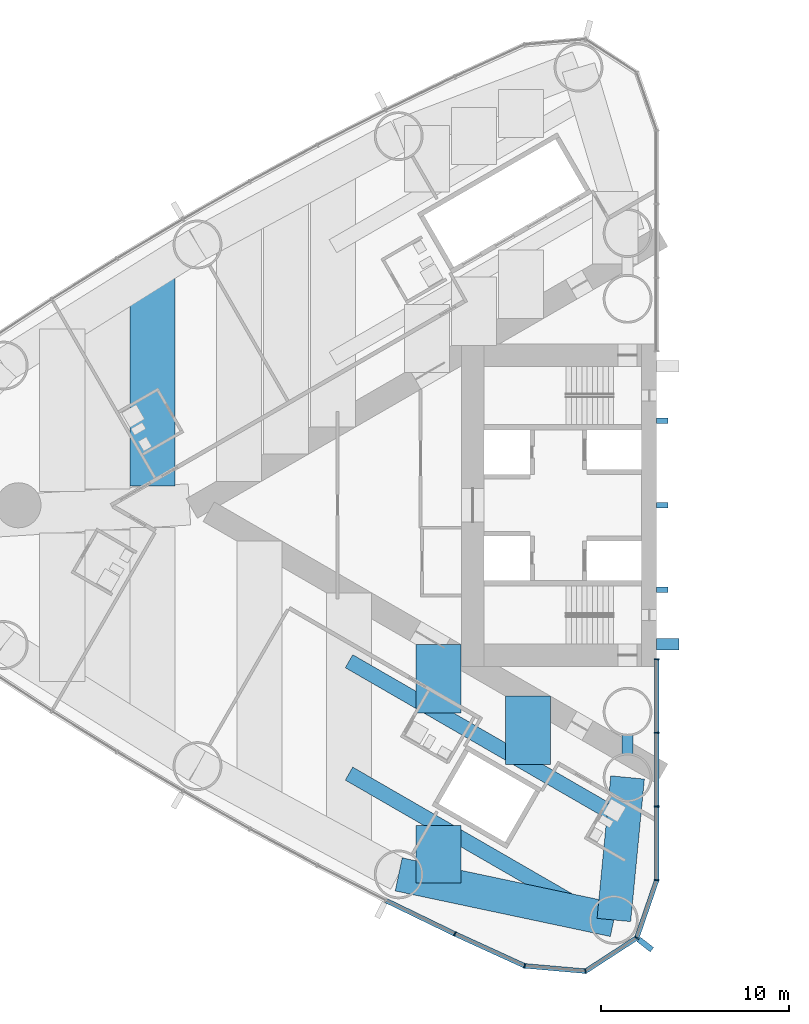
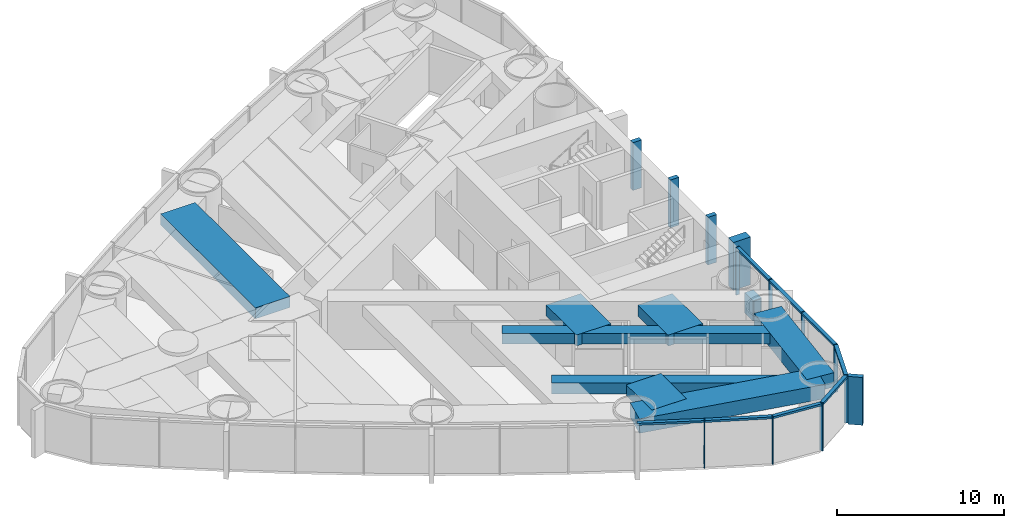
# One storey, part 3 of 19: 21 members, 9 beams, 1 element without a shape of its own.
"""IFC4 building model written with IfcOpenShell, lengths in metres."""

from ifc_helpers import new_model, si_unit, direction, frame, origin, origin_2d, place, context, subcontext, project, spatial, rectangle, hollow_rectangle, extrude, material, material_profile, profile_set, type_object, element, aggregate, save


model = new_model("IFC4")

# Units and contexts
model_context = context("Model", 3, precision=1e-05, world=origin(), true_north=direction((0.0, 1.0)))
body_context = subcontext(model_context, "Body", "Model", "MODEL_VIEW")
ifc_project = project(units=[si_unit("LENGTHUNIT", "METRE"), si_unit("AREAUNIT", "SQUARE_METRE"), si_unit("VOLUMEUNIT", "CUBIC_METRE"), si_unit("PLANEANGLEUNIT", "RADIAN"), si_unit("MASSUNIT", "GRAM", prefix="KILO")], contexts=[model_context])

# Site, building, storey
site_placement = place(None, origin())
site = spatial("IfcSite", under=ifc_project, at=site_placement, CompositionType="ELEMENT")
building_placement = place(site_placement, origin())
building = spatial("IfcBuilding", under=site, at=building_placement, Name="Lancet Gate Hotel", CompositionType="ELEMENT")
storey_placement = place(building_placement, frame((0.0, 0.0, 132.60009765625)))
storey = spatial("IfcBuildingStorey", under=building, at=storey_placement, Name="L35", CompositionType="ELEMENT", Elevation=132.60009765625)

# Curtain wall, members
ifc_material_1 = material(Name="Aluminium curtain wall", Category="aluminium")
curtain_wall_type = type_object("IfcCurtainWallType", Name="Tower unitised curtain wall", PredefinedType="USERDEFINED", material=ifc_material_1)
curtain_wall_placement = place(storey_placement, origin())
curtain_wall = element("IfcCurtainWall", 1, at=curtain_wall_placement, inside=storey, type_object=curtain_wall_type, Name="T1 L35 curtain wall 1", ObjectType="UNITISED CURTAIN WALL", PredefinedType="USERDEFINED")
ifc_material_2 = material(Name="Aluminium mullion", Category="aluminium")
ifc_material_profile_1 = material_profile(ifc_material_2, rectangle(XDim=0.06494140625, YDim=0.25, at=origin_2d()), Name="MULLION 65x250")
ifc_profile_set_1 = profile_set([ifc_material_profile_1], Name="Aluminium mullion")
member_type_1 = type_object("IfcMemberType", Name="Aluminium mullion 65x250", PredefinedType="MULLION", material=ifc_profile_set_1)
member_1_placement = place(storey_placement, frame((-38.25244140625, -22.83642578125, 0.0), z_axis=(0.0, 0.0, 1.0), x_axis=(0.904719609771, -0.426007544178, 0.0)))
member_1 = element("IfcMember", 2, at=member_1_placement, type_object=member_type_1, Name="T1 L35 curtain wall 1 mullion 29", PredefinedType="MULLION", context=body_context, shape_type="SweptSolid", body=[
    extrude(rectangle(XDim=0.06494140625, YDim=0.25, at=origin_2d()), origin(), (0.0, 0.0, 1.0), 3.5),
])
member_2_placement = place(storey_placement, frame((-34.5322265625, -24.53955078125, 0.0), z_axis=(0.0, 0.0, 1.0), x_axis=(0.961653318232, -0.27426792655, 0.0)))
member_2 = element("IfcMember", 3, at=member_2_placement, type_object=member_type_1, Name="T1 L35 curtain wall 1 mullion 30", PredefinedType="MULLION", context=body_context, shape_type="SweptSolid", body=[
    extrude(rectangle(XDim=0.06494140625, YDim=0.25, at=origin_2d()), origin(), (0.0, 0.0, 1.0), 3.5),
])
member_3_placement = place(storey_placement, frame((-31.289306640625, -24.822265625, 0.0), z_axis=(0.0, 0.0, 1.0), x_axis=(0.970242142288, 0.242136707934, 0.0)))
member_3 = element("IfcMember", 4, at=member_3_placement, type_object=member_type_1, Name="T1 L35 curtain wall 1 mullion 31", PredefinedType="MULLION", context=body_context, shape_type="SweptSolid", body=[
    extrude(rectangle(XDim=0.06494140625, YDim=0.25, at=origin_2d()), origin(), (0.0, 0.0, 1.0), 3.5),
])
member_4_placement = place(storey_placement, frame((-28.5595703125, -23.049072265625, 0.0), z_axis=(0.0, 0.0, 1.0), x_axis=(0.615574240878, 0.788078900851, 0.0)))
member_4 = element("IfcMember", 5, at=member_4_placement, type_object=member_type_1, Name="T1 L35 curtain wall 1 mullion 32", PredefinedType="MULLION", context=body_context, shape_type="SweptSolid", body=[
    extrude(rectangle(XDim=0.06494140625, YDim=0.25, at=origin_2d()), origin(), (0.0, 0.0, 1.0), 3.5),
])
member_5_placement = place(storey_placement, frame((-27.5, -19.97119140625, 0.0), z_axis=(0.0, 0.0, 1.0), x_axis=(0.149634446211, 0.988741388082, 0.0)))
member_5 = element("IfcMember", 6, at=member_5_placement, type_object=member_type_1, Name="T1 L35 curtain wall 1 mullion 33", PredefinedType="MULLION", context=body_context, shape_type="SweptSolid", body=[
    extrude(rectangle(XDim=0.06494140625, YDim=0.25, at=origin_2d()), origin(), (0.0, 0.0, 1.0), 3.5),
])
member_6_placement = place(storey_placement, frame((-27.5, -16.04736328125, 0.0), z_axis=(0.0, 0.0, 1.0), x_axis=(0.0, 1.0, 0.0)))
member_6 = element("IfcMember", 7, at=member_6_placement, type_object=member_type_1, Name="T1 L35 curtain wall 1 mullion 34", PredefinedType="MULLION", context=body_context, shape_type="SweptSolid", body=[
    extrude(rectangle(XDim=0.06494140625, YDim=0.25, at=origin_2d()), origin(), (0.0, 0.0, 1.0), 3.5),
])
member_7_placement = place(storey_placement, frame((-27.5, -12.123779296875, 0.0), z_axis=(0.0, 0.0, 1.0), x_axis=(0.0, 1.0, 0.0)))
member_7 = element("IfcMember", 8, at=member_7_placement, type_object=member_type_1, Name="T1 L35 curtain wall 1 mullion 35", PredefinedType="MULLION", context=body_context, shape_type="SweptSolid", body=[
    extrude(rectangle(XDim=0.06494140625, YDim=0.25, at=origin_2d()), origin(), (0.0, 0.0, 1.0), 3.5),
])
member_8_placement = place(storey_placement, frame((-27.5, -8.199951171875, 0.0), z_axis=(0.0, 0.0, 1.0), x_axis=(0.0, 1.0, 0.0)))
member_8 = element("IfcMember", 9, at=member_8_placement, type_object=member_type_1, Name="T1 L35 curtain wall 1 mullion 36", PredefinedType="MULLION", context=body_context, shape_type="SweptSolid", body=[
    extrude(rectangle(XDim=0.06494140625, YDim=0.25, at=origin_2d()), origin(), (0.0, 0.0, 1.0), 3.5),
])
ifc_material_3 = material(Name="Aluminium transom", Category="aluminium")
ifc_material_profile_2 = material_profile(ifc_material_3, rectangle(XDim=0.25, YDim=0.14990234375, at=origin_2d()), Name="TRANSOM 250x150")
ifc_profile_set_2 = profile_set([ifc_material_profile_2], Name="Aluminium transom")
member_type_2 = type_object("IfcMemberType", Name="Aluminium transom 250x150", PredefinedType="USERDEFINED", material=ifc_profile_set_2)
member_9_placement = place(storey_placement, frame((-41.906005859375, -21.067626953125, 3.4248046875), z_axis=(0.900065677074, -0.435754262117, 0.0), x_axis=(0.435754262117, 0.900065677074, 0.0)))
member_9 = element("IfcMember", 10, at=member_9_placement, type_object=member_type_2, Name="T1 L35 curtain wall 1 transom 28", ObjectType="TRANSOM", PredefinedType="USERDEFINED", context=body_context, shape_type="SweptSolid", body=[
    extrude(rectangle(XDim=0.25, YDim=0.14990234375, at=origin_2d()), origin(), (0.0, 0.0, 1.0), 4.026611328125),
])
member_10_placement = place(storey_placement, frame((-38.222900390625, -22.849853515625, 3.4248046875), z_axis=(0.909252284196, -0.416245460857, 0.0), x_axis=(0.416245460857, 0.909252284196, 0.0)))
member_10 = element("IfcMember", 11, at=member_10_placement, type_object=member_type_2, Name="T1 L35 curtain wall 1 transom 29", ObjectType="TRANSOM", PredefinedType="USERDEFINED", context=body_context, shape_type="SweptSolid", body=[
    extrude(rectangle(XDim=0.25, YDim=0.14990234375, at=origin_2d()), origin(), (0.0, 0.0, 1.0), 4.026611328125),
])
member_11_placement = place(storey_placement, frame((-34.499755859375, -24.542236328125, 3.4248046875), z_axis=(0.996213545522, -0.086940046686, 0.0), x_axis=(0.086940046686, 0.996213545522, 0.0)))
member_11 = element("IfcMember", 12, at=member_11_placement, type_object=member_type_2, Name="T1 L35 curtain wall 1 transom 30", ObjectType="TRANSOM", PredefinedType="USERDEFINED", context=body_context, shape_type="SweptSolid", body=[
    extrude(rectangle(XDim=0.25, YDim=0.14990234375, at=origin_2d()), origin(), (0.0, 0.0, 1.0), 3.18994140625),
])
member_12_placement = place(storey_placement, frame((-31.261962890625, -24.8046875, 3.4248046875), z_axis=(0.838550259452, 0.544824249068, 0.0), x_axis=(-0.544824249068, 0.838550259452, 0.0)))
member_12 = element("IfcMember", 13, at=member_12_placement, type_object=member_type_2, Name="T1 L35 curtain wall 1 transom 31", ObjectType="TRANSOM", PredefinedType="USERDEFINED", context=body_context, shape_type="SweptSolid", body=[
    extrude(rectangle(XDim=0.25, YDim=0.14990234375, at=origin_2d()), origin(), (0.0, 0.0, 1.0), 3.190185546875),
])
member_13_placement = place(storey_placement, frame((-28.549072265625, -23.018310546875, 3.4248046875), z_axis=(0.32553312754, 0.945530635609, 0.0), x_axis=(-0.945530635609, 0.32553312754, 0.0)))
member_13 = element("IfcMember", 14, at=member_13_placement, type_object=member_type_2, Name="T1 L35 curtain wall 1 transom 32", ObjectType="TRANSOM", PredefinedType="USERDEFINED", context=body_context, shape_type="SweptSolid", body=[
    extrude(rectangle(XDim=0.25, YDim=0.14990234375, at=origin_2d()), origin(), (0.0, 0.0, 1.0), 3.1904296875),
])
member_14_placement = place(storey_placement, frame((-27.5, -19.9384765625, 3.4248046875), z_axis=(0.0, 1.0, 0.0), x_axis=(-1.0, 0.0, 0.0)))
member_14 = element("IfcMember", 15, at=member_14_placement, type_object=member_type_2, Name="T1 L35 curtain wall 1 transom 33", ObjectType="TRANSOM", PredefinedType="USERDEFINED", context=body_context, shape_type="SweptSolid", body=[
    extrude(rectangle(XDim=0.25, YDim=0.14990234375, at=origin_2d()), origin(), (0.0, 0.0, 1.0), 3.858642578125),
])
member_15_placement = place(storey_placement, frame((-27.5, -16.014892578125, 3.4248046875), z_axis=(0.0, 1.0, 0.0), x_axis=(-1.0, 0.0, 0.0)))
member_15 = element("IfcMember", 16, at=member_15_placement, type_object=member_type_2, Name="T1 L35 curtain wall 1 transom 34", ObjectType="TRANSOM", PredefinedType="USERDEFINED", context=body_context, shape_type="SweptSolid", body=[
    extrude(rectangle(XDim=0.25, YDim=0.14990234375, at=origin_2d()), origin(), (0.0, 0.0, 1.0), 3.858642578125),
])
member_16_placement = place(storey_placement, frame((-27.5, -12.09130859375, 3.4248046875), z_axis=(0.0, 1.0, 0.0), x_axis=(-1.0, 0.0, 0.0)))
member_16 = element("IfcMember", 17, at=member_16_placement, type_object=member_type_2, Name="T1 L35 curtain wall 1 transom 35", ObjectType="TRANSOM", PredefinedType="USERDEFINED", context=body_context, shape_type="SweptSolid", body=[
    extrude(rectangle(XDim=0.25, YDim=0.14990234375, at=origin_2d()), origin(), (0.0, 0.0, 1.0), 3.85888671875),
])

# Beams
ifc_material_4 = material(Name="Concrete C50/60", Category="concrete")
ifc_material_profile_3 = material_profile(ifc_material_4, rectangle(XDim=1.800048828125, YDim=1.050048828125, at=origin_2d()), Name="RC 1800x1050")
ifc_profile_set_3 = profile_set([ifc_material_profile_3], Name="Concrete C50/60")
beam_type_1 = type_object("IfcBeamType", Name="Edge beam RC 1800x1050", PredefinedType="SPANDREL", material=ifc_profile_set_3)
beam_1_placement = place(storey_placement, frame((-41.244873046875, -19.665771484375, 2.724853515625), z_axis=(0.978282156247, -0.207277646573, 0.0), x_axis=(0.207277646573, 0.978282156247, 0.0)))
element("IfcBeam", 18, at=beam_1_placement, inside=storey, type_object=beam_type_1, Name="T1 edge beam EB1 L35", PredefinedType="SPANDREL", context=body_context, shape_type="SweptSolid", body=[
    extrude(rectangle(XDim=1.800048828125, YDim=1.050048828125, at=origin_2d()), origin(), (0.0, 0.0, 1.0), 11.71826171875),
])
beam_2_placement = place(storey_placement, frame((-29.050048828125, -14.5, 2.724853515625), z_axis=(-0.095802643786, -0.995400348324, 0.0), x_axis=(0.995400348324, -0.095802643786, 0.0)))
element("IfcBeam", 19, at=beam_2_placement, inside=storey, type_object=beam_type_1, Name="T1 edge beam EB1 L35", PredefinedType="SPANDREL", context=body_context, shape_type="SweptSolid", body=[
    extrude(rectangle(XDim=1.800048828125, YDim=1.050048828125, at=origin_2d()), origin(), (0.0, 0.0, 1.0), 7.6298828125),
])

# Member
ifc_material_5 = material(Name="Concrete C60/75", Category="concrete")
ifc_material_profile_4 = material_profile(ifc_material_5, rectangle(XDim=0.60009765625, YDim=1.199951171875, at=origin_2d()), Name="FIN 600x1200")
ifc_profile_set_4 = profile_set([ifc_material_profile_4], Name="Concrete C60/75")
member_type_3 = type_object("IfcMemberType", Name="Exposed concrete buttress pilaster 600x1200", PredefinedType="USERDEFINED", material=ifc_profile_set_4)
member_17_placement = place(storey_placement, frame((-26.909912109375, -7.39990234375, 0.0), z_axis=(0.0, 0.0, 1.0), x_axis=(0.0, 1.0, 0.0)))
element("IfcMember", 20, at=member_17_placement, inside=storey, type_object=member_type_3, Name="T1 buttress pilaster N L35", ObjectType="FIN", PredefinedType="USERDEFINED", context=body_context, shape_type="SweptSolid", body=[
    extrude(rectangle(XDim=0.60009765625, YDim=1.199951171875, at=origin_2d()), origin(), (0.0, 0.0, 1.0), 3.5),
])

ifc_material_6 = material(Name="Precast concrete C50/60", Category="concrete")
ifc_material_profile_5 = material_profile(ifc_material_6, rectangle(XDim=0.300048828125, YDim=0.89990234375, at=origin_2d()), Name="FIN 300x900")
ifc_profile_set_5 = profile_set([ifc_material_profile_5], Name="Precast concrete C50/60")
member_type_4 = type_object("IfcMemberType", Name="Exposed concrete fin 300x900", PredefinedType="USERDEFINED", material=ifc_profile_set_5)
member_18_placement = place(storey_placement, frame((-28.1064453125, -23.40283203125, 0.0), z_axis=(0.0, 0.0, 1.0), x_axis=(0.615574240878, 0.788078900851, 0.0)))
member_18 = element("IfcMember", 21, at=member_18_placement, type_object=member_type_4, Name="T1 L35 curtain wall 1 fin 32", ObjectType="FIN", PredefinedType="USERDEFINED", context=body_context, shape_type="SweptSolid", body=[
    extrude(rectangle(XDim=0.300048828125, YDim=0.89990234375, at=origin_2d()), origin(), (0.0, 0.0, 1.0), 3.5),
])

aggregate(curtain_wall, [member_1, member_2, member_3, member_4, member_18, member_5, member_6, member_7, member_8, member_9, member_10, member_11, member_12, member_13, member_14, member_15, member_16])

# Members
ifc_material_7 = material(Name="Concrete C60/75", Category="concrete")
ifc_material_profile_6 = material_profile(ifc_material_7, rectangle(XDim=0.300048828125, YDim=0.60009765625, at=origin_2d()), Name="FIN 300x600")
ifc_profile_set_6 = profile_set([ifc_material_profile_6], Name="Concrete C60/75")
member_type_5 = type_object("IfcMemberType", Name="Exposed concrete rib 300x600", PredefinedType="USERDEFINED", material=ifc_profile_set_6)
for number, where, z_axis, x_axis, name in (
    (22, (-27.2099609375, 4.5, 0.0), (0.0, 0.0, 1.0), (0.0, 1.0, 0.0), "T1 core rib 1 L35"),
    (23, (-27.2099609375, 0.0, 0.0), (0.0, 0.0, 1.0), (0.0, 1.0, 0.0), "T1 core rib 2 L35"),
    (24, (-27.2099609375, -4.5, 0.0), (0.0, 0.0, 1.0), (0.0, 1.0, 0.0), "T1 core rib 3 L35"),
):
    element("IfcMember", number, at=place(storey_placement, frame(where, z_axis=z_axis, x_axis=x_axis)), inside=storey, type_object=member_type_5, Name=name, ObjectType="FIN", PredefinedType="USERDEFINED", context=body_context, shape_type="SweptSolid", body=[
        extrude(rectangle(XDim=0.300048828125, YDim=0.60009765625, at=origin_2d()), origin(), (0.0, 0.0, 1.0), 3.5),
    ])

# Beams
ifc_material_8 = material(Name="Concrete C50/60", Category="concrete")
ifc_material_profile_7 = material_profile(ifc_material_8, rectangle(XDim=2.39990234375, YDim=0.800048828125, at=origin_2d()), Name="RC 2400x800")
ifc_profile_set_7 = profile_set([ifc_material_profile_7], Name="Concrete C50/60")
beam_type_2 = type_object("IfcBeamType", Name="Floor beam RC 2400x800", PredefinedType="BEAM", material=ifc_profile_set_7)
beam_3_placement = place(storey_placement, frame((-54.3681640625, 12.392333984375, 2.849853515625), z_axis=(0.0, -1.0, 0.0), x_axis=(1.0, 0.0, 0.0)))
element("IfcBeam", 25, at=beam_3_placement, inside=storey, type_object=beam_type_2, Name="T1 floor beam F13S L35", PredefinedType="BEAM", context=body_context, shape_type="SweptSolid", body=[
    extrude(rectangle(XDim=2.39990234375, YDim=0.800048828125, at=origin_2d()), origin(), (0.0, 0.0, 1.0), 11.364990234375),
])
beam_4_placement = place(storey_placement, frame((-34.353515625, -10.169921875, 2.849853515625), z_axis=(0.0, -1.0, 0.0), x_axis=(1.0, 0.0, 0.0)))
element("IfcBeam", 26, at=beam_4_placement, inside=storey, type_object=beam_type_2, Name="T1 floor beam F03NA L35", PredefinedType="BEAM", context=body_context, shape_type="SweptSolid", body=[
    extrude(rectangle(XDim=2.39990234375, YDim=0.800048828125, at=origin_2d()), origin(), (0.0, 0.0, 1.0), 3.645751953125),
])
beam_5_placement = place(storey_placement, frame((-39.122314453125, -7.41650390625, 2.849853515625), z_axis=(0.0, -1.0, 0.0), x_axis=(1.0, 0.0, 0.0)))
element("IfcBeam", 27, at=beam_5_placement, inside=storey, type_object=beam_type_2, Name="T1 floor beam F06NA L35", PredefinedType="BEAM", context=body_context, shape_type="SweptSolid", body=[
    extrude(rectangle(XDim=2.39990234375, YDim=0.800048828125, at=origin_2d()), origin(), (0.0, 0.0, 1.0), 3.64599609375),
])
beam_6_placement = place(storey_placement, frame((-39.122314453125, -17.0498046875, 2.849853515625), z_axis=(0.0, -1.0, 0.0), x_axis=(1.0, 0.0, 0.0)))
element("IfcBeam", 28, at=beam_6_placement, inside=storey, type_object=beam_type_2, Name="T1 floor beam F06NB L35", PredefinedType="BEAM", context=body_context, shape_type="SweptSolid", body=[
    extrude(rectangle(XDim=2.39990234375, YDim=0.800048828125, at=origin_2d()), origin(), (0.0, 0.0, 1.0), 3.065673828125),
])
ifc_material_9 = material(Name="Steel S460QL", Category="steel")
ifc_material_profile_8 = material_profile(ifc_material_9, hollow_rectangle(XDim=0.60009765625, YDim=1.5, WallThickness=0.050048828125, at=origin_2d()), Name="BOX 1500x600x50")
ifc_profile_set_8 = profile_set([ifc_material_profile_8], Name="Steel S460QL")
beam_type_3 = type_object("IfcBeamType", Name="Inner-face link beam BOX 1500x600x50", PredefinedType="BEAM", material=ifc_profile_set_8)
beam_7_placement = place(storey_placement, frame((-29.050048828125, -12.25, 2.5), z_axis=(0.0, -1.0, 0.0), x_axis=(1.0, 0.0, 0.0)))
element("IfcBeam", 29, at=beam_7_placement, inside=storey, type_object=beam_type_3, Name="T1 inner-face link beam LK1 L35", PredefinedType="BEAM", context=body_context, shape_type="SweptSolid", body=[
    extrude(hollow_rectangle(XDim=0.60009765625, YDim=1.5, WallThickness=0.050048828125, at=origin_2d()), origin(), (0.0, 0.0, 1.0), 1.0),
])
ifc_material_10 = material(Name="Steel S460QL", Category="steel")
ifc_material_profile_9 = material_profile(ifc_material_10, hollow_rectangle(XDim=0.800048828125, YDim=0.800048828125, WallThickness=0.080078125, at=origin_2d()), Name="BOX 800x800x80")
ifc_profile_set_9 = profile_set([ifc_material_profile_9], Name="Steel S460QL")
beam_type_4 = type_object("IfcBeamType", Name="Trimmer beam BOX 800x800x80", PredefinedType="BEAM", material=ifc_profile_set_9)
beam_8_placement = place(storey_placement, frame((-29.58447265625, -16.56884765625, 2.849853515625), z_axis=(-0.866040141834, 0.49997447208, 0.0), x_axis=(-0.49997447208, -0.866040141834, 0.0)))
element("IfcBeam", 30, at=beam_8_placement, inside=storey, type_object=beam_type_4, Name="T1 trimmer beam TR01N L35", PredefinedType="BEAM", context=body_context, shape_type="SweptSolid", body=[
    extrude(hollow_rectangle(XDim=0.800048828125, YDim=0.800048828125, WallThickness=0.080078125, at=origin_2d()), origin(), (0.0, 0.0, 1.0), 16.519775390625),
])
beam_9_placement = place(storey_placement, frame((-30.982421875, -21.7490234375, 2.849853515625), z_axis=(-0.866042392862, 0.4999705729, 0.0), x_axis=(-0.4999705729, -0.866042392862, 0.0)))
element("IfcBeam", 31, at=beam_9_placement, inside=storey, type_object=beam_type_4, Name="T1 trimmer beam TR03N L35", PredefinedType="BEAM", context=body_context, shape_type="SweptSolid", body=[
    extrude(hollow_rectangle(XDim=0.800048828125, YDim=0.800048828125, WallThickness=0.080078125, at=origin_2d()), origin(), (0.0, 0.0, 1.0), 14.90576171875),
])

save(model, "model.ifc")
